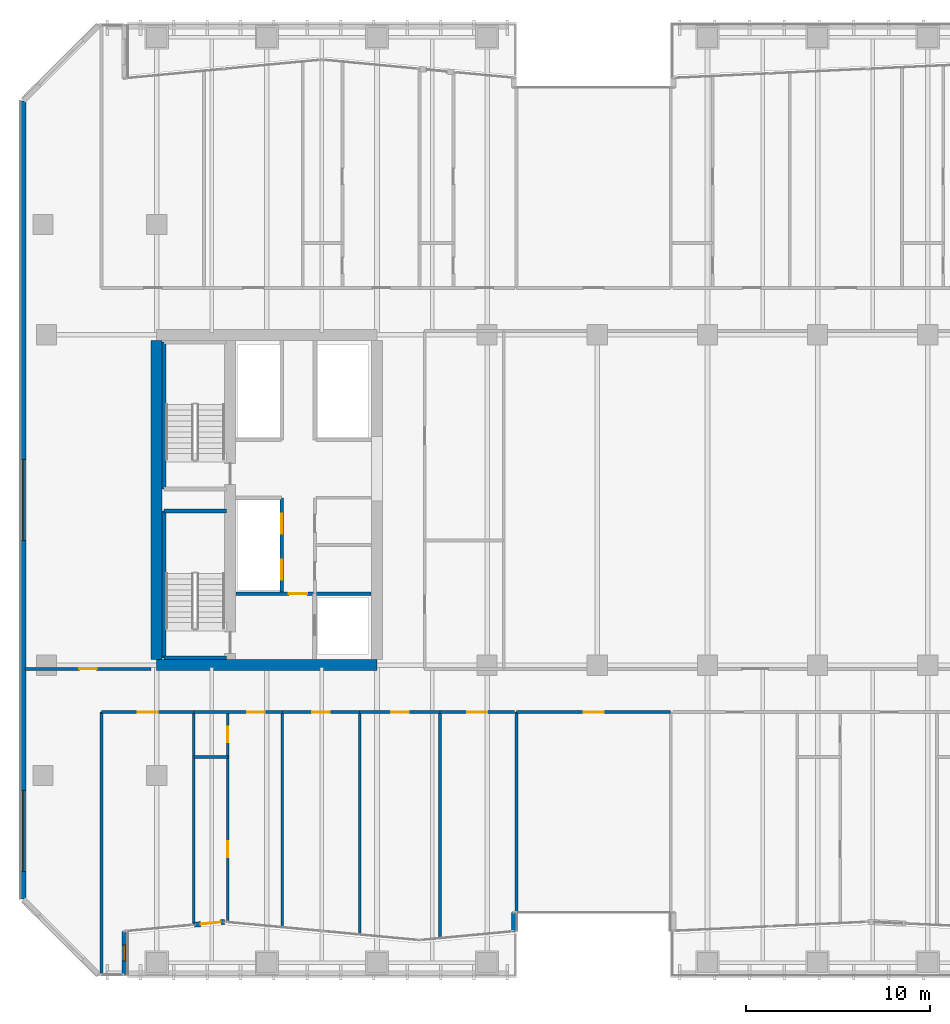
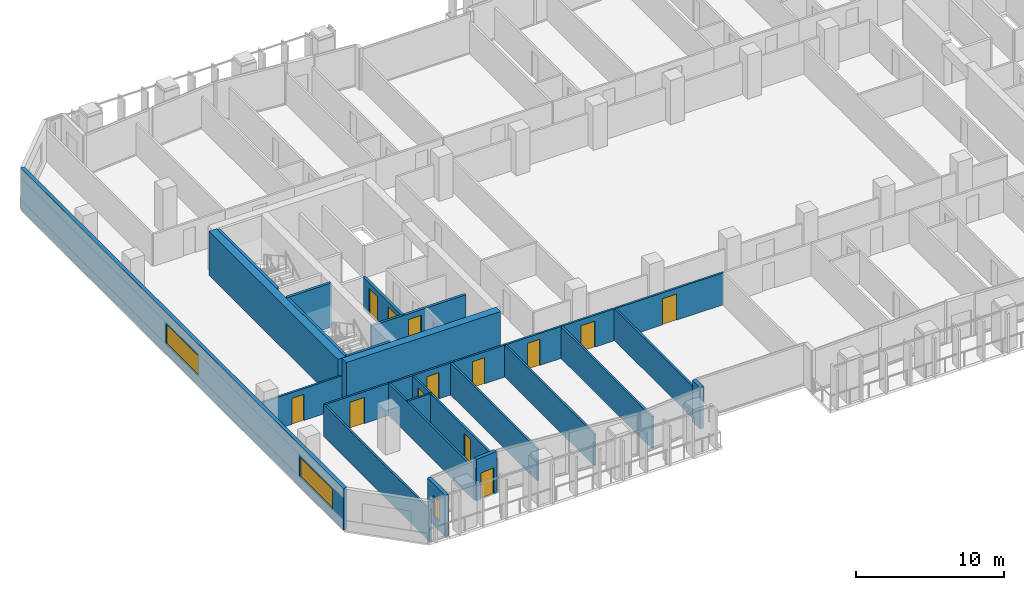
# One storey, part 18 of 31: 27 walls, 13 doors, 3 windows, 16 openings.
"""IFC4 building model written with IfcOpenShell, lengths in metres."""

from ifc_helpers import new_model, si_unit, direction, frame, frame_2d, origin, place, context, subcontext, project, spatial, rectangle, extrude, material, layer, layer_set, type_object, element, fill, save


model = new_model("IFC4")

# Units and contexts
model_context = context("Model", 3, precision=1e-05, world=origin(), true_north=direction((0.0, 1.0)))
body_context = subcontext(model_context, "Body", "Model", "MODEL_VIEW")
ifc_project = project(units=[si_unit("LENGTHUNIT", "METRE"), si_unit("AREAUNIT", "SQUARE_METRE"), si_unit("VOLUMEUNIT", "CUBIC_METRE"), si_unit("PLANEANGLEUNIT", "RADIAN"), si_unit("MASSUNIT", "GRAM", prefix="KILO")], contexts=[model_context])

# Site, building, storey
site_placement = place(None, origin())
site = spatial("IfcSite", under=ifc_project, at=site_placement, CompositionType="ELEMENT")
building_placement = place(site_placement, origin())
building = spatial("IfcBuilding", under=site, at=building_placement, Name="Tanjung Sevakor Pilgrim Tower", CompositionType="ELEMENT")
storey_placement = place(building_placement, frame((0.0, 0.0, 58.739990234375)))
storey = spatial("IfcBuildingStorey", under=building, at=storey_placement, Name="L16", CompositionType="ELEMENT", Elevation=58.739990234375)

# Walls
ifc_material_1 = material(Name="Concrete C60/75", Category="concrete")
ifc_layer_1 = layer(ifc_material_1, 0.60009765625)
ifc_layer_set_1 = layer_set([ifc_layer_1], Name="WALL-CW-600")
wall_type_1 = type_object("IfcWallType", Name="WALL-CW-600", PredefinedType="SHEAR", material=ifc_layer_set_1)
wall_1_placement = place(storey_placement, frame((24.0, 24.60009765625, 0.0), z_axis=(0.0, 0.0, 1.0), x_axis=(1.0, 0.0, 0.0)))
element("IfcWall", 1, at=wall_1_placement, inside=storey, type_object=wall_type_1, Name="L16 W Core South Shear Wall", PredefinedType="SHEAR", context=body_context, shape_type="SweptSolid", body=[
    extrude(rectangle(XDim=12.0, YDim=0.60009765625, at=frame_2d((6.0, 0.0))), origin(), (0.0, 0.0, 1.0), 3.630126953125),
])
wall_2_placement = place(storey_placement, frame((24.0, 24.89990234375, 0.0), z_axis=(0.0, 0.0, 1.0), x_axis=(0.0, 1.0, 0.0)))
element("IfcWall", 2, at=wall_2_placement, inside=storey, type_object=wall_type_1, Name="L16 W Core Outer Shear Wall", PredefinedType="SHEAR", context=body_context, shape_type="SweptSolid", body=[
    extrude(rectangle(XDim=17.400146484375, YDim=0.60009765625, at=frame_2d((8.7001953125, 0.0))), origin(), (0.0, 0.0, 1.0), 3.630126953125),
])

# Wall, opening, door
ifc_material_2 = material(Name="Concrete C40/50", Category="concrete")
ifc_layer_2 = layer(ifc_material_2, 0.14990234375)
ifc_layer_set_2 = layer_set([ifc_layer_2], Name="WT-COMP-150")
wall_type_2 = type_object("IfcWallType", Name="WT-COMP-150", PredefinedType="SOLIDWALL", material=ifc_layer_set_2)
wall_3_placement = place(storey_placement, frame((16.840087890625, 24.39990234375, 0.0), z_axis=(0.0, 0.0, 1.0), x_axis=(1.0, 0.0, 0.0)))
wall_3 = element("IfcWall", 3, at=wall_3_placement, inside=storey, type_object=wall_type_2, Name="L16 Partition IW-L16-037", PredefinedType="SOLIDWALL", context=body_context, shape_type="SweptSolid", body=[
    extrude(rectangle(XDim=6.83984375, YDim=0.14990234375, at=frame_2d((3.419921875, 0.0))), origin(), (0.0, 0.0, 1.0), 2.625244140625),
])
opening_1_placement = place(wall_3_placement, frame((2.945068359375, 0.0, 0.0)))
opening_1 = element("IfcOpeningElement", 4, at=opening_1_placement, cuts=wall_3, Name="Opening ID-FD2", PredefinedType="OPENING", context=body_context, shape_type="SweptSolid", body=[
    extrude(rectangle(XDim=0.949951171875, YDim=2.14990234375, at=frame_2d((0.47509765625, 1.074951171875))), frame((0.0, 0.0849609375, 0.0), z_axis=(0.0, -1.0, 0.0), x_axis=(1.0, 0.0, 0.0)), (0.0, 0.0, 1.0), 0.169921875),
])
ifc_material_3 = material(Name="Fire-Rated Timber", Category="wood")
door_type_1 = type_object("IfcDoorType", Name="DT-FIRE-950", OperationType="NOTDEFINED", PredefinedType="DOOR", material=ifc_material_3)
door_1_placement = place(opening_1_placement, origin())
door_1 = element("IfcDoor", 5, at=door_1_placement, inside=storey, type_object=door_type_1, Name="Study Room Entrance", OperationType="SINGLE_SWING_LEFT", OverallHeight=2.14990234375, OverallWidth=0.949951171875, PredefinedType="DOOR", context=body_context, shape_type="SweptSolid", body=[
    extrude(rectangle(XDim=0.949951171875, YDim=2.14990234375, at=frame_2d((0.47509765625, 1.074951171875))), frame((0.0, 0.02490234375, 0.0), z_axis=(0.0, -1.0, 0.0), x_axis=(1.0, 0.0, 0.0)), (0.0, 0.0, 1.0), 0.050048828125),
])
fill(opening_1, door_1)

wall_4_placement = place(storey_placement, frame((43.60009765625, 22.050048828125, 0.0), z_axis=(0.0, 0.0, 1.0), x_axis=(1.0, 0.0, 0.0)))
wall_4 = element("IfcWall", 6, at=wall_4_placement, inside=storey, type_object=wall_type_2, Name="L16 Partition IW-L16-044", PredefinedType="SOLIDWALL", context=body_context, shape_type="SweptSolid", body=[
    extrude(rectangle(XDim=8.39990234375, YDim=0.14990234375, at=frame_2d((4.199951171875, 0.0))), origin(), (0.0, 0.0, 1.0), 2.6298828125),
])
opening_2_placement = place(wall_4_placement, frame((3.64990234375, 0.0, 0.0)))
opening_2 = element("IfcOpeningElement", 7, at=opening_2_placement, cuts=wall_4, Name="Opening ID-RM2", PredefinedType="OPENING", context=body_context, shape_type="SweptSolid", body=[
    extrude(rectangle(XDim=1.10009765625, YDim=2.14990234375, at=frame_2d((0.550048828125, 1.074951171875))), frame((0.0, 0.0849609375, 0.0), z_axis=(0.0, -1.0, 0.0), x_axis=(1.0, 0.0, 0.0)), (0.0, 0.0, 1.0), 0.169921875),
])
ifc_material_4 = material(Name="Hardwood Timber", Category="wood")
door_type_2 = type_object("IfcDoorType", Name="DT-INT-1100", OperationType="NOTDEFINED", PredefinedType="DOOR", material=ifc_material_4)
door_2_placement = place(opening_2_placement, origin())
door_2 = element("IfcDoor", 8, at=door_2_placement, inside=storey, type_object=door_type_2, Name="L16 South Cleft Tea Sanctuary Door", OperationType="SINGLE_SWING_RIGHT", OverallHeight=2.14990234375, OverallWidth=1.10009765625, PredefinedType="DOOR", context=body_context, shape_type="SweptSolid", body=[
    extrude(rectangle(XDim=1.10009765625, YDim=2.14990234375, at=frame_2d((0.550048828125, 1.074951171875))), frame((0.0, 0.02490234375, 0.0), z_axis=(0.0, -1.0, 0.0), x_axis=(1.0, 0.0, 0.0)), (0.0, 0.0, 1.0), 0.050048828125),
])
fill(opening_2, door_2)

# Walls
wall_5_placement = place(storey_placement, frame((43.60009765625, 11.139892578125, 0.0), z_axis=(0.0, 0.0, 1.0), x_axis=(0.0, 1.0, 0.0)))
element("IfcWall", 9, at=wall_5_placement, inside=storey, type_object=wall_type_2, Name="L16 Partition IW-L16-045", PredefinedType="SOLIDWALL", context=body_context, shape_type="SweptSolid", body=[
    extrude(rectangle(XDim=10.91015625, YDim=0.14990234375, at=frame_2d((5.455078125, 0.0))), origin(), (0.0, 0.0, 1.0), 2.6298828125),
])
wall_6_placement = place(storey_placement, frame((21.0, 7.739990234375, 0.0), z_axis=(0.0, 0.0, 1.0), x_axis=(0.0, 1.0, 0.0)))
element("IfcWall", 10, at=wall_6_placement, inside=storey, type_object=wall_type_2, Name="L16 Partition IW-L16-050", PredefinedType="SOLIDWALL", context=body_context, shape_type="SweptSolid", body=[
    extrude(rectangle(XDim=14.31005859375, YDim=0.14990234375, at=frame_2d((7.155029296875, 0.0))), origin(), (0.0, 0.0, 1.0), 2.6298828125),
])
wall_7_placement = place(storey_placement, frame((26.022705078125, 10.46240234375, 0.0), z_axis=(0.0, 0.0, 1.0), x_axis=(0.0, 1.0, 0.0)))
element("IfcWall", 11, at=wall_7_placement, inside=storey, type_object=wall_type_2, Name="L16 Partition IW-L16-051", PredefinedType="SOLIDWALL", context=body_context, shape_type="SweptSolid", body=[
    extrude(rectangle(XDim=11.587646484375, YDim=0.14990234375, at=frame_2d((5.7939453125, 0.0))), origin(), (0.0, 0.0, 1.0), 2.6298828125),
])

# Wall, opening, door
wall_8_placement = place(storey_placement, frame((21.0, 22.050048828125, 0.0), z_axis=(0.0, 0.0, 1.0), x_axis=(1.0, 0.0, 0.0)))
wall_8 = element("IfcWall", 12, at=wall_8_placement, inside=storey, type_object=wall_type_2, Name="L16 Partition IW-L16-052", PredefinedType="SOLIDWALL", context=body_context, shape_type="SweptSolid", body=[
    extrude(rectangle(XDim=5.022705078125, YDim=0.14990234375, at=frame_2d((2.51123046875, 0.0))), origin(), (0.0, 0.0, 1.0), 2.6298828125),
])
opening_3_placement = place(wall_8_placement, frame((1.961181640625, 0.0, 0.0)))
opening_3 = element("IfcOpeningElement", 13, at=opening_3_placement, cuts=wall_8, Name="Opening ID-FD0", PredefinedType="OPENING", context=body_context, shape_type="SweptSolid", body=[
    extrude(rectangle(XDim=1.10009765625, YDim=2.14990234375, at=frame_2d((0.550048828125, 1.074951171875))), frame((0.0, 0.0849609375, 0.0), z_axis=(0.0, -1.0, 0.0), x_axis=(1.0, 0.0, 0.0)), (0.0, 0.0, 1.0), 0.169921875),
])
ifc_material_5 = material(Name="Fire-Rated Steel S355J2", Category="steel")
door_type_3 = type_object("IfcDoorType", Name="DT-FIRE-1100", OperationType="NOTDEFINED", PredefinedType="DOOR", material=ifc_material_5)
door_3_placement = place(opening_3_placement, origin())
door_3 = element("IfcDoor", 14, at=door_3_placement, inside=storey, type_object=door_type_3, Name="Communal Lounge Door", OperationType="SINGLE_SWING_RIGHT", OverallHeight=2.14990234375, OverallWidth=1.10009765625, PredefinedType="DOOR", context=body_context, shape_type="SweptSolid", body=[
    extrude(rectangle(XDim=1.10009765625, YDim=2.14990234375, at=frame_2d((0.550048828125, 1.074951171875))), frame((0.0, 0.02490234375, 0.0), z_axis=(0.0, -1.0, 0.0), x_axis=(1.0, 0.0, 0.0)), (0.0, 0.0, 1.0), 0.050048828125),
])
fill(opening_3, door_3)

# Wall
wall_9_placement = place(storey_placement, frame((30.842529296875, 10.32421875, 0.0), z_axis=(0.0, 0.0, 1.0), x_axis=(0.0, 1.0, 0.0)))
element("IfcWall", 15, at=wall_9_placement, inside=storey, type_object=wall_type_2, Name="L16 Partition IW-L16-053", PredefinedType="SOLIDWALL", context=body_context, shape_type="SweptSolid", body=[
    extrude(rectangle(XDim=11.725830078125, YDim=0.14990234375, at=frame_2d((5.86279296875, 0.0))), origin(), (0.0, 0.0, 1.0), 2.6298828125),
])

# Wall, opening, door
wall_10_placement = place(storey_placement, frame((26.022705078125, 22.050048828125, 0.0), z_axis=(0.0, 0.0, 1.0), x_axis=(1.0, 0.0, 0.0)))
wall_10 = element("IfcWall", 16, at=wall_10_placement, inside=storey, type_object=wall_type_2, Name="L16 Partition IW-L16-056", PredefinedType="SOLIDWALL", context=body_context, shape_type="SweptSolid", body=[
    extrude(rectangle(XDim=4.81982421875, YDim=0.14990234375, at=frame_2d((2.409912109375, 0.0))), origin(), (0.0, 0.0, 1.0), 2.6298828125),
])
opening_4_placement = place(wall_10_placement, frame((2.89990234375, 0.0, 0.0)))
opening_4 = element("IfcOpeningElement", 17, at=opening_4_placement, cuts=wall_10, Name="Opening ID-FD2", PredefinedType="OPENING", context=body_context, shape_type="SweptSolid", body=[
    extrude(rectangle(XDim=0.949951171875, YDim=2.14990234375, at=frame_2d((0.47509765625, 1.074951171875))), frame((0.0, 0.0849609375, 0.0), z_axis=(0.0, -1.0, 0.0), x_axis=(1.0, 0.0, 0.0)), (0.0, 0.0, 1.0), 0.169921875),
])
door_4_placement = place(opening_4_placement, origin())
door_4 = element("IfcDoor", 18, at=door_4_placement, inside=storey, type_object=door_type_1, Name="Hostel Quad Entrance", OperationType="SINGLE_SWING_LEFT", OverallHeight=2.14990234375, OverallWidth=0.949951171875, PredefinedType="DOOR", context=body_context, shape_type="SweptSolid", body=[
    extrude(rectangle(XDim=0.949951171875, YDim=2.14990234375, at=frame_2d((0.47509765625, 1.074951171875))), frame((0.0, 0.02490234375, 0.0), z_axis=(0.0, -1.0, 0.0), x_axis=(1.0, 0.0, 0.0)), (0.0, 0.0, 1.0), 0.050048828125),
])
fill(opening_4, door_4)

# Wall
wall_11_placement = place(storey_placement, frame((35.05517578125, 9.9267578125, 0.0), z_axis=(0.0, 0.0, 1.0), x_axis=(0.0, 1.0, 0.0)))
element("IfcWall", 19, at=wall_11_placement, inside=storey, type_object=wall_type_2, Name="L16 Partition IW-L16-057", PredefinedType="SOLIDWALL", context=body_context, shape_type="SweptSolid", body=[
    extrude(rectangle(XDim=12.123291015625, YDim=0.14990234375, at=frame_2d((6.0615234375, 0.0))), origin(), (0.0, 0.0, 1.0), 2.6298828125),
])

# Wall, opening, door
wall_12_placement = place(storey_placement, frame((30.842529296875, 22.050048828125, 0.0), z_axis=(0.0, 0.0, 1.0), x_axis=(1.0, 0.0, 0.0)))
wall_12 = element("IfcWall", 20, at=wall_12_placement, inside=storey, type_object=wall_type_2, Name="L16 Partition IW-L16-058", PredefinedType="SOLIDWALL", context=body_context, shape_type="SweptSolid", body=[
    extrude(rectangle(XDim=4.212646484375, YDim=0.14990234375, at=frame_2d((2.1064453125, 0.0))), origin(), (0.0, 0.0, 1.0), 2.6298828125),
])
opening_5_placement = place(wall_12_placement, frame((1.63134765625, 0.0, 0.0)))
opening_5 = element("IfcOpeningElement", 21, at=opening_5_placement, cuts=wall_12, Name="Opening ID-FD2", PredefinedType="OPENING", context=body_context, shape_type="SweptSolid", body=[
    extrude(rectangle(XDim=0.949951171875, YDim=2.14990234375, at=frame_2d((0.47509765625, 1.074951171875))), frame((0.0, 0.0849609375, 0.0), z_axis=(0.0, -1.0, 0.0), x_axis=(1.0, 0.0, 0.0)), (0.0, 0.0, 1.0), 0.169921875),
])
door_5_placement = place(opening_5_placement, origin())
door_5 = element("IfcDoor", 22, at=door_5_placement, inside=storey, type_object=door_type_1, Name="Study Room Entrance", OperationType="SINGLE_SWING_RIGHT", OverallHeight=2.14990234375, OverallWidth=0.949951171875, PredefinedType="DOOR", context=body_context, shape_type="SweptSolid", body=[
    extrude(rectangle(XDim=0.949951171875, YDim=2.14990234375, at=frame_2d((0.47509765625, 1.074951171875))), frame((0.0, 0.02490234375, 0.0), z_axis=(0.0, -1.0, 0.0), x_axis=(1.0, 0.0, 0.0)), (0.0, 0.0, 1.0), 0.050048828125),
])
fill(opening_5, door_5)

# Wall
wall_13_placement = place(storey_placement, frame((39.4296875, 9.727294921875, 0.0), z_axis=(0.0, 0.0, 1.0), x_axis=(0.0, 1.0, 0.0)))
element("IfcWall", 23, at=wall_13_placement, inside=storey, type_object=wall_type_2, Name="L16 Partition IW-L16-059", PredefinedType="SOLIDWALL", context=body_context, shape_type="SweptSolid", body=[
    extrude(rectangle(XDim=12.32275390625, YDim=0.14990234375, at=frame_2d((6.161376953125, 0.0))), origin(), (0.0, 0.0, 1.0), 2.6298828125),
])

# Wall, opening, door
wall_14_placement = place(storey_placement, frame((35.05517578125, 22.050048828125, 0.0), z_axis=(0.0, 0.0, 1.0), x_axis=(1.0, 0.0, 0.0)))
wall_14 = element("IfcWall", 24, at=wall_14_placement, inside=storey, type_object=wall_type_2, Name="L16 Partition IW-L16-060", PredefinedType="SOLIDWALL", context=body_context, shape_type="SweptSolid", body=[
    extrude(rectangle(XDim=4.37451171875, YDim=0.14990234375, at=frame_2d((2.187255859375, 0.0))), origin(), (0.0, 0.0, 1.0), 2.6298828125),
])
opening_6_placement = place(wall_14_placement, frame((1.71240234375, 0.0, 0.0)))
opening_6 = element("IfcOpeningElement", 25, at=opening_6_placement, cuts=wall_14, Name="Opening ID-FD2", PredefinedType="OPENING", context=body_context, shape_type="SweptSolid", body=[
    extrude(rectangle(XDim=0.949951171875, YDim=2.14990234375, at=frame_2d((0.47509765625, 1.074951171875))), frame((0.0, 0.0849609375, 0.0), z_axis=(0.0, -1.0, 0.0), x_axis=(1.0, 0.0, 0.0)), (0.0, 0.0, 1.0), 0.169921875),
])
door_6_placement = place(opening_6_placement, origin())
door_6 = element("IfcDoor", 26, at=door_6_placement, inside=storey, type_object=door_type_1, Name="Study Room Entrance", OperationType="SINGLE_SWING_LEFT", OverallHeight=2.14990234375, OverallWidth=0.949951171875, PredefinedType="DOOR", context=body_context, shape_type="SweptSolid", body=[
    extrude(rectangle(XDim=0.949951171875, YDim=2.14990234375, at=frame_2d((0.47509765625, 1.074951171875))), frame((0.0, 0.02490234375, 0.0), z_axis=(0.0, -1.0, 0.0), x_axis=(1.0, 0.0, 0.0)), (0.0, 0.0, 1.0), 0.050048828125),
])
fill(opening_6, door_6)

wall_15_placement = place(storey_placement, frame((39.4296875, 22.050048828125, 0.0), z_axis=(0.0, 0.0, 1.0), x_axis=(1.0, 0.0, 0.0)))
wall_15 = element("IfcWall", 27, at=wall_15_placement, inside=storey, type_object=wall_type_2, Name="L16 Partition IW-L16-061", PredefinedType="SOLIDWALL", context=body_context, shape_type="SweptSolid", body=[
    extrude(rectangle(XDim=4.05029296875, YDim=0.14990234375, at=frame_2d((2.025146484375, 0.0))), origin(), (0.0, 0.0, 1.0), 2.6298828125),
])
opening_7_placement = place(wall_15_placement, frame((1.47509765625, 0.0, 0.0)))
opening_7 = element("IfcOpeningElement", 28, at=opening_7_placement, cuts=wall_15, Name="Opening ID-FD0", PredefinedType="OPENING", context=body_context, shape_type="SweptSolid", body=[
    extrude(rectangle(XDim=1.10009765625, YDim=2.14990234375, at=frame_2d((0.550048828125, 1.074951171875))), frame((0.0, 0.0849609375, 0.0), z_axis=(0.0, -1.0, 0.0), x_axis=(1.0, 0.0, 0.0)), (0.0, 0.0, 1.0), 0.169921875),
])
door_7_placement = place(opening_7_placement, origin())
door_7 = element("IfcDoor", 29, at=door_7_placement, inside=storey, type_object=door_type_3, Name="Communal Lounge Door", OperationType="SINGLE_SWING_RIGHT", OverallHeight=2.14990234375, OverallWidth=1.10009765625, PredefinedType="DOOR", context=body_context, shape_type="SweptSolid", body=[
    extrude(rectangle(XDim=1.10009765625, YDim=2.14990234375, at=frame_2d((0.550048828125, 1.074951171875))), frame((0.0, 0.02490234375, 0.0), z_axis=(0.0, -1.0, 0.0), x_axis=(1.0, 0.0, 0.0)), (0.0, 0.0, 1.0), 0.050048828125),
])
fill(opening_7, door_7)

# Wall, opening, window
ifc_material_6 = material(Name="Precast concrete C45/55", Category="concrete")
ifc_layer_3 = layer(ifc_material_6, 0.280029296875)
ifc_layer_set_3 = layer_set([ifc_layer_3], Name="WT-EW-STN2")
wall_type_3 = type_object("IfcWallType", Name="WT-EW-STN2", PredefinedType="SOLIDWALL", material=ifc_layer_set_3)
wall_16_placement = place(storey_placement, frame((22.260009765625, 7.739990234375, 0.0), z_axis=(0.0, 0.0, 1.0), x_axis=(0.0, 1.0, 0.0)))
wall_16 = element("IfcWall", 30, at=wall_16_placement, inside=storey, type_object=wall_type_3, Name="L16 MAIN Exterior Wall 2", PredefinedType="SOLIDWALL", context=body_context, shape_type="SweptSolid", body=[
    extrude(rectangle(XDim=2.367431640625, YDim=0.280029296875, at=frame_2d((1.18359375, 0.0))), origin(), (0.0, 0.0, 1.0), 3.409912109375),
])
opening_8_placement = place(wall_16_placement, frame((0.7587890625, 0.0, 0.780029296875)))
opening_8 = element("IfcOpeningElement", 31, at=opening_8_placement, cuts=wall_16, Name="Opening WN-SLM", PredefinedType="OPENING", context=body_context, shape_type="SweptSolid", body=[
    extrude(rectangle(XDim=0.85009765625, YDim=1.64990234375, at=frame_2d((0.425048828125, 0.824951171875))), frame((0.0, 0.14990234375, 0.0), z_axis=(0.0, -1.0, 0.0), x_axis=(1.0, 0.0, 0.0)), (0.0, 0.0, 1.0), 0.300048828125),
])
ifc_material_7 = material(Name="Thermally Broken Aluminium and Low-E Glass", Category="aluminium")
window_type_1 = type_object("IfcWindowType", Name="WTYP-WN-SLM", PartitioningType="SINGLE_PANEL", PredefinedType="WINDOW", material=ifc_material_7)
window_1_placement = place(opening_8_placement, origin())
window_1 = element("IfcWindow", 32, at=window_1_placement, inside=storey, type_object=window_type_1, Name="L16 Facade Window 01", OverallHeight=1.64990234375, OverallWidth=0.85009765625, PartitioningType="SINGLE_PANEL", PredefinedType="WINDOW", context=body_context, shape_type="SweptSolid", body=[
    extrude(rectangle(XDim=0.85009765625, YDim=1.64990234375, at=frame_2d((0.425048828125, 0.824951171875))), frame((0.0, 0.030029296875, 0.0), z_axis=(0.0, -1.0, 0.0), x_axis=(1.0, 0.0, 0.0)), (0.0, 0.0, 1.0), 0.06005859375),
])
fill(opening_8, window_1)

# Wall, opening, door
wall_17_placement = place(storey_placement, frame((26.04736328125, 10.464599609375, 0.0), z_axis=(0.0, 0.0, 1.0), x_axis=(0.995573792115, 0.093983107278, 0.0)))
wall_17 = element("IfcWall", 33, at=wall_17_placement, inside=storey, type_object=wall_type_3, Name="L16 S-Curve Terrace Threshold Wall 2", PredefinedType="SOLIDWALL", context=body_context, shape_type="SweptSolid", body=[
    extrude(rectangle(XDim=1.659912109375, YDim=0.280029296875, at=frame_2d((0.830078125, 0.0))), origin(), (0.0, 0.0, 1.0), 3.409912109375),
])
opening_9_placement = place(wall_17_placement, frame((0.35009765625, 0.0, 0.0)))
opening_9 = element("IfcOpeningElement", 34, at=opening_9_placement, cuts=wall_17, Name="Opening ED-BAL-1100", PredefinedType="OPENING", context=body_context, shape_type="SweptSolid", body=[
    extrude(rectangle(XDim=1.10009765625, YDim=2.14990234375, at=frame_2d((0.550048828125, 1.074951171875))), frame((0.0, 0.14990234375, 0.0), z_axis=(0.0, -1.0, 0.0), x_axis=(1.0, 0.0, 0.0)), (0.0, 0.0, 1.0), 0.300048828125),
])
ifc_material_8 = material(Name="Anodised Aluminium and Laminated Glass", Category="aluminium")
door_type_4 = type_object("IfcDoorType", Name="DTYP-ED-BAL-1100", OperationType="NOTDEFINED", PredefinedType="DOOR", material=ifc_material_8)
door_8_placement = place(opening_9_placement, frame((1.10009765625, 0.0, 0.0), z_axis=(0.0, 0.0, 1.0), x_axis=(-1.0, 0.0, 0.0)))
door_8 = element("IfcDoor", 35, at=door_8_placement, inside=storey, type_object=door_type_4, Name="L16 S-Curve Terrace Access Door 2", OperationType="SINGLE_SWING_RIGHT", OverallHeight=2.14990234375, OverallWidth=1.10009765625, PredefinedType="DOOR", context=body_context, shape_type="SweptSolid", body=[
    extrude(rectangle(XDim=1.10009765625, YDim=2.14990234375, at=frame_2d((0.550048828125, 1.074951171875))), frame((0.0, 0.02490234375, 0.0), z_axis=(0.0, -1.0, 0.0), x_axis=(1.0, 0.0, 0.0)), (0.0, 0.0, 1.0), 0.050048828125),
])
fill(opening_9, door_8)

# Wall
wall_18_placement = place(storey_placement, frame((43.4599609375, 10.107421875, 0.0), z_axis=(0.0, 0.0, 1.0), x_axis=(0.0, 1.0, 0.0)))
element("IfcWall", 36, at=wall_18_placement, inside=storey, type_object=wall_type_3, Name="L16 MAIN Exterior Wall 7", PredefinedType="SOLIDWALL", context=body_context, shape_type="SweptSolid", body=[
    extrude(rectangle(XDim=1.032470703125, YDim=0.280029296875, at=frame_2d((0.51611328125, 0.0))), origin(), (0.0, 0.0, 1.0), 3.409912109375),
])

# Wall, openings, windows
wall_19_placement = place(storey_placement, frame((16.739990234375, 55.342041015625, 0.0), z_axis=(0.0, 0.0, 1.0), x_axis=(0.0, -1.0, 0.0)))
wall_19 = element("IfcWall", 37, at=wall_19_placement, inside=storey, type_object=wall_type_3, Name="L16 MAIN Exterior Wall 35", PredefinedType="SOLIDWALL", context=body_context, shape_type="SweptSolid", body=[
    extrude(rectangle(XDim=43.484130859375, YDim=0.280029296875, at=frame_2d((21.7421875, 0.0))), origin(), (0.0, 0.0, 1.0), 3.409912109375),
])
opening_10_placement = place(wall_19_placement, frame((19.5419921875, 0.0, 0.780029296875)))
opening_10 = element("IfcOpeningElement", 38, at=opening_10_placement, cuts=wall_19, Name="Opening WN-ENDW-1660", PredefinedType="OPENING", context=body_context, shape_type="SweptSolid", body=[
    extrude(rectangle(XDim=4.39990234375, YDim=1.659912109375, at=frame_2d((2.199951171875, 0.830078125))), frame((0.0, 0.14990234375, 0.0), z_axis=(0.0, -1.0, 0.0), x_axis=(1.0, 0.0, 0.0)), (0.0, 0.0, 1.0), 0.300048828125),
])
opening_11_placement = place(wall_19_placement, frame((37.572998046875, 0.0, 0.780029296875)))
opening_11 = element("IfcOpeningElement", 39, at=opening_11_placement, cuts=wall_19, Name="Opening WN-ENDW-1660", PredefinedType="OPENING", context=body_context, shape_type="SweptSolid", body=[
    extrude(rectangle(XDim=4.39990234375, YDim=1.659912109375, at=frame_2d((2.199951171875, 0.830078125))), frame((0.0, 0.14990234375, 0.0), z_axis=(0.0, -1.0, 0.0), x_axis=(1.0, 0.0, 0.0)), (0.0, 0.0, 1.0), 0.300048828125),
])
ifc_material_9 = material(Name="Thermally Broken Aluminium and Low-E Glass", Category="aluminium")
window_type_2 = type_object("IfcWindowType", Name="WTYP-WN-ENDW-1660", PartitioningType="DOUBLE_PANEL_VERTICAL", PredefinedType="WINDOW", material=ifc_material_9)
window_2_placement = place(opening_10_placement, origin())
window_2 = element("IfcWindow", 40, at=window_2_placement, inside=storey, type_object=window_type_2, Name="L16 Facade Window 01", OverallHeight=1.659912109375, OverallWidth=4.39990234375, PartitioningType="SINGLE_PANEL", PredefinedType="WINDOW", context=body_context, shape_type="SweptSolid", body=[
    extrude(rectangle(XDim=4.39990234375, YDim=1.659912109375, at=frame_2d((2.199951171875, 0.830078125))), frame((0.0, 0.030029296875, 0.0), z_axis=(0.0, -1.0, 0.0), x_axis=(1.0, 0.0, 0.0)), (0.0, 0.0, 1.0), 0.06005859375),
])
fill(opening_10, window_2)
window_3_placement = place(opening_11_placement, origin())
window_3 = element("IfcWindow", 41, at=window_3_placement, inside=storey, type_object=window_type_2, Name="L16 Facade Window 02", OverallHeight=1.659912109375, OverallWidth=4.39990234375, PartitioningType="SINGLE_PANEL", PredefinedType="WINDOW", context=body_context, shape_type="SweptSolid", body=[
    extrude(rectangle(XDim=4.39990234375, YDim=1.659912109375, at=frame_2d((2.199951171875, 0.830078125))), frame((0.0, 0.030029296875, 0.0), z_axis=(0.0, -1.0, 0.0), x_axis=(1.0, 0.0, 0.0)), (0.0, 0.0, 1.0), 0.06005859375),
])
fill(opening_11, window_3)

# Walls
ifc_material_10 = material(Name="Concrete C40/50", Category="concrete")
ifc_layer_4 = layer(ifc_material_10, 0.199951171875)
ifc_layer_set_4 = layer_set([ifc_layer_4], Name="WT-FIRE-200")
wall_type_4 = type_object("IfcWallType", Name="WT-FIRE-200", PredefinedType="SOLIDWALL", material=ifc_layer_set_4)
for number, where, z_axis, x_axis, name in (
    (42, (24.39990234375, 25.0, 0.0), (0.0, 0.0, 1.0), (1.0, 0.0, 0.0), "L16 TS-W1 Shaft Wall 1"),
    (43, (27.800048828125, 33.0, 0.0), (0.0, 0.0, 1.0), (-1.0, 0.0, 0.0), "L16 TS-W1 Shaft Wall 2"),
):
    element("IfcWall", number, at=place(storey_placement, frame(where, z_axis=z_axis, x_axis=x_axis)), inside=storey, type_object=wall_type_4, Name=name, PredefinedType="SOLIDWALL", context=body_context, shape_type="SweptSolid", body=[
        extrude(rectangle(XDim=3.400146484375, YDim=0.199951171875, at=frame_2d((1.7001953125, 0.0))), origin(), (0.0, 0.0, 1.0), 3.630126953125),
    ])
for number, where, z_axis, x_axis, name in (
    (44, (24.39990234375, 33.0, 0.0), (0.0, 0.0, 1.0), (0.0, -1.0, 0.0), "L16 TS-W1 Shaft Wall 3"),
    (45, (24.39990234375, 42.199951171875, 0.0), (0.0, 0.0, 1.0), (0.0, -1.0, 0.0), "L16 TS-W2 Shaft Wall 3"),
):
    element("IfcWall", number, at=place(storey_placement, frame(where, z_axis=z_axis, x_axis=x_axis)), inside=storey, type_object=wall_type_4, Name=name, PredefinedType="SOLIDWALL", context=body_context, shape_type="SweptSolid", body=[
        extrude(rectangle(XDim=8.0, YDim=0.199951171875, at=frame_2d((4.0, 0.0))), origin(), (0.0, 0.0, 1.0), 3.630126953125),
    ])

# Wall, opening, door
ifc_material_11 = material(Name="Concrete C40/50", Category="concrete")
ifc_layer_5 = layer(ifc_material_11, 0.199951171875)
ifc_layer_set_5 = layer_set([ifc_layer_5], Name="WT-FPRT-200")
wall_type_5 = type_object("IfcWallType", Name="WT-FPRT-200", PredefinedType="SOLIDWALL", material=ifc_layer_set_5)
wall_20_placement = place(storey_placement, frame((28.320068359375, 28.5, 0.0), z_axis=(0.0, 0.0, 1.0), x_axis=(1.0, 0.0, 0.0)))
wall_20 = element("IfcWall", 46, at=wall_20_placement, inside=storey, type_object=wall_type_5, Name="L16 Partition IW-L16-002", PredefinedType="SOLIDWALL", context=body_context, shape_type="SweptSolid", body=[
    extrude(rectangle(XDim=7.35986328125, YDim=0.199951171875, at=frame_2d((3.679931640625, 0.0))), origin(), (0.0, 0.0, 1.0), 2.6298828125),
])
opening_12_placement = place(wall_20_placement, frame((2.8798828125, 0.0, 0.0)))
opening_12 = element("IfcOpeningElement", 47, at=opening_12_placement, cuts=wall_20, Name="Opening ID-FD1", PredefinedType="OPENING", context=body_context, shape_type="SweptSolid", body=[
    extrude(rectangle(XDim=1.0, YDim=2.14990234375, at=frame_2d((0.5, 1.074951171875))), frame((0.0, 0.10986328125, 0.0), z_axis=(0.0, -1.0, 0.0), x_axis=(1.0, 0.0, 0.0)), (0.0, 0.0, 1.0), 0.219970703125),
])
ifc_material_12 = material(Name="Fire-Rated Steel S355J2", Category="steel")
door_type_5 = type_object("IfcDoorType", Name="DT-FIRE-1000", OperationType="NOTDEFINED", PredefinedType="DOOR", material=ifc_material_12)
door_9_placement = place(opening_12_placement, origin())
door_9 = element("IfcDoor", 48, at=door_9_placement, inside=storey, type_object=door_type_5, Name="Fire Lobby Door W", OperationType="SINGLE_SWING_LEFT", OverallHeight=2.14990234375, OverallWidth=1.0, PredefinedType="DOOR", context=body_context, shape_type="SweptSolid", body=[
    extrude(rectangle(XDim=1.0, YDim=2.14990234375, at=frame_2d((0.5, 1.074951171875))), frame((0.0, 0.02490234375, 0.0), z_axis=(0.0, -1.0, 0.0), x_axis=(1.0, 0.0, 0.0)), (0.0, 0.0, 1.0), 0.050048828125),
])
fill(opening_12, door_9)

# Wall, openings, doors
wall_21_placement = place(storey_placement, frame((30.820068359375, 28.5, 0.0), z_axis=(0.0, 0.0, 1.0), x_axis=(0.0, 1.0, 0.0)))
wall_21 = element("IfcWall", 49, at=wall_21_placement, inside=storey, type_object=wall_type_5, Name="L16 Partition IW-L16-004", PredefinedType="SOLIDWALL", context=body_context, shape_type="SweptSolid", body=[
    extrude(rectangle(XDim=5.219970703125, YDim=0.199951171875, at=frame_2d((2.60986328125, 0.0))), origin(), (0.0, 0.0, 1.0), 2.6298828125),
])
opening_13_placement = place(wall_21_placement, frame((0.75, 0.0, 0.0)))
opening_13 = element("IfcOpeningElement", 50, at=opening_13_placement, cuts=wall_21, Name="Opening LD-1100", PredefinedType="OPENING", context=body_context, shape_type="SweptSolid", body=[
    extrude(rectangle(XDim=1.10009765625, YDim=2.199951171875, at=frame_2d((0.550048828125, 1.10009765625))), frame((0.0, 0.10986328125, 0.0), z_axis=(0.0, -1.0, 0.0), x_axis=(1.0, 0.0, 0.0)), (0.0, 0.0, 1.0), 0.219970703125),
])
opening_14_placement = place(wall_21_placement, frame((3.25, 0.0, 0.0)))
opening_14 = element("IfcOpeningElement", 51, at=opening_14_placement, cuts=wall_21, Name="Opening LD-1100", PredefinedType="OPENING", context=body_context, shape_type="SweptSolid", body=[
    extrude(rectangle(XDim=1.10009765625, YDim=2.199951171875, at=frame_2d((0.550048828125, 1.10009765625))), frame((0.0, 0.10986328125, 0.0), z_axis=(0.0, -1.0, 0.0), x_axis=(1.0, 0.0, 0.0)), (0.0, 0.0, 1.0), 0.219970703125),
])
ifc_material_13 = material(Name="Brushed Stainless Steel S355J2", Category="steel")
door_type_6 = type_object("IfcDoorType", Name="DT-LIFT-1100", OperationType="SLIDING_TO_LEFT", PredefinedType="DOOR", material=ifc_material_13)
door_10_placement = place(opening_13_placement, origin())
door_10 = element("IfcDoor", 52, at=door_10_placement, inside=storey, type_object=door_type_6, Name="LD-PLL1-W", OperationType="SLIDING_TO_LEFT", OverallHeight=2.199951171875, OverallWidth=1.10009765625, PredefinedType="DOOR", context=body_context, shape_type="SweptSolid", body=[
    extrude(rectangle(XDim=1.10009765625, YDim=2.199951171875, at=frame_2d((0.550048828125, 1.10009765625))), frame((0.0, 0.02490234375, 0.0), z_axis=(0.0, -1.0, 0.0), x_axis=(1.0, 0.0, 0.0)), (0.0, 0.0, 1.0), 0.050048828125),
])
fill(opening_13, door_10)
door_11_placement = place(opening_14_placement, origin())
door_11 = element("IfcDoor", 53, at=door_11_placement, inside=storey, type_object=door_type_6, Name="LD-PLL2-W", OperationType="SLIDING_TO_RIGHT", OverallHeight=2.199951171875, OverallWidth=1.10009765625, PredefinedType="DOOR", context=body_context, shape_type="SweptSolid", body=[
    extrude(rectangle(XDim=1.10009765625, YDim=2.199951171875, at=frame_2d((0.550048828125, 1.10009765625))), frame((0.0, 0.02490234375, 0.0), z_axis=(0.0, -1.0, 0.0), x_axis=(1.0, 0.0, 0.0)), (0.0, 0.0, 1.0), 0.050048828125),
])
fill(opening_14, door_11)

# Wall
ifc_material_14 = material(Name="Gypsum Board Partition", Category="gypsum board")
ifc_layer_6 = layer(ifc_material_14, 0.14990234375)
ifc_layer_set_6 = layer_set([ifc_layer_6], Name="WT-PART-150")
wall_type_6 = type_object("IfcWallType", Name="WT-PART-150", PredefinedType="PARTITIONING", material=ifc_layer_set_6)
wall_22_placement = place(storey_placement, frame((26.022705078125, 19.60009765625, 0.0), z_axis=(0.0, 0.0, 1.0), x_axis=(1.0, 0.0, 0.0)))
element("IfcWall", 54, at=wall_22_placement, inside=storey, type_object=wall_type_6, Name="L16 Partition IW-L16-054", PredefinedType="PARTITIONING", context=body_context, shape_type="SweptSolid", body=[
    extrude(rectangle(XDim=1.849853515625, YDim=0.14990234375, at=frame_2d((0.9248046875, 0.0))), origin(), (0.0, 0.0, 1.0), 2.6298828125),
])

# Wall, openings, doors
wall_23_placement = place(storey_placement, frame((27.87255859375, 10.604248046875, 0.0), z_axis=(0.0, 0.0, 1.0), x_axis=(0.0, 1.0, 0.0)))
wall_23 = element("IfcWall", 55, at=wall_23_placement, inside=storey, type_object=wall_type_6, Name="L16 Partition IW-L16-055", PredefinedType="PARTITIONING", context=body_context, shape_type="SweptSolid", body=[
    extrude(rectangle(XDim=11.44580078125, YDim=0.14990234375, at=frame_2d((5.722900390625, 0.0))), origin(), (0.0, 0.0, 1.0), 2.6298828125),
])
opening_15_placement = place(wall_23_placement, frame((3.545654296875, 0.0, 0.0)))
opening_15 = element("IfcOpeningElement", 56, at=opening_15_placement, cuts=wall_23, Name="Opening ID-WC1", PredefinedType="OPENING", context=body_context, shape_type="SweptSolid", body=[
    extrude(rectangle(XDim=0.85009765625, YDim=2.10009765625, at=frame_2d((0.425048828125, 1.050048828125))), frame((0.0, 0.0849609375, 0.0), z_axis=(0.0, -1.0, 0.0), x_axis=(1.0, 0.0, 0.0)), (0.0, 0.0, 1.0), 0.169921875),
])
opening_16_placement = place(wall_23_placement, frame((9.795654296875, 0.0, 0.0)))
opening_16 = element("IfcOpeningElement", 57, at=opening_16_placement, cuts=wall_23, Name="Opening ID-WC1", PredefinedType="OPENING", context=body_context, shape_type="SweptSolid", body=[
    extrude(rectangle(XDim=0.85009765625, YDim=2.10009765625, at=frame_2d((0.425048828125, 1.050048828125))), frame((0.0, 0.0849609375, 0.0), z_axis=(0.0, -1.0, 0.0), x_axis=(1.0, 0.0, 0.0)), (0.0, 0.0, 1.0), 0.169921875),
])
ifc_material_15 = material(Name="Moisture-Resistant Timber", Category="wood")
door_type_7 = type_object("IfcDoorType", Name="DT-INT-850", OperationType="NOTDEFINED", PredefinedType="DOOR", material=ifc_material_15)
door_12_placement = place(opening_15_placement, origin())
door_12 = element("IfcDoor", 58, at=door_12_placement, inside=storey, type_object=door_type_7, Name="Study Nook Door", OperationType="SINGLE_SWING_LEFT", OverallHeight=2.10009765625, OverallWidth=0.85009765625, PredefinedType="DOOR", context=body_context, shape_type="SweptSolid", body=[
    extrude(rectangle(XDim=0.85009765625, YDim=2.10009765625, at=frame_2d((0.425048828125, 1.050048828125))), frame((0.0, 0.02490234375, 0.0), z_axis=(0.0, -1.0, 0.0), x_axis=(1.0, 0.0, 0.0)), (0.0, 0.0, 1.0), 0.050048828125),
])
fill(opening_15, door_12)
door_13_placement = place(opening_16_placement, origin())
door_13 = element("IfcDoor", 59, at=door_13_placement, inside=storey, type_object=door_type_7, Name="Bathroom Door", OperationType="SINGLE_SWING_RIGHT", OverallHeight=2.10009765625, OverallWidth=0.85009765625, PredefinedType="DOOR", context=body_context, shape_type="SweptSolid", body=[
    extrude(rectangle(XDim=0.85009765625, YDim=2.10009765625, at=frame_2d((0.425048828125, 1.050048828125))), frame((0.0, 0.02490234375, 0.0), z_axis=(0.0, -1.0, 0.0), x_axis=(1.0, 0.0, 0.0)), (0.0, 0.0, 1.0), 0.050048828125),
])
fill(opening_16, door_13)

save(model, "model.ifc")
